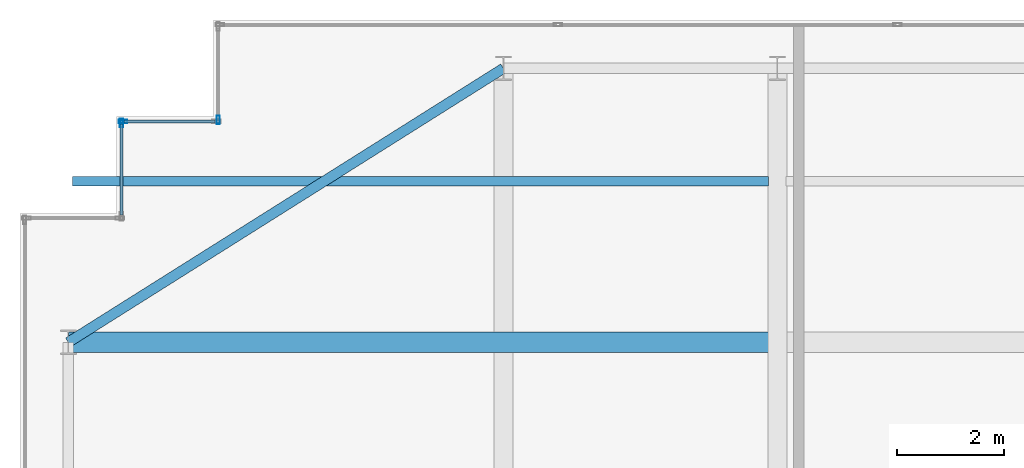
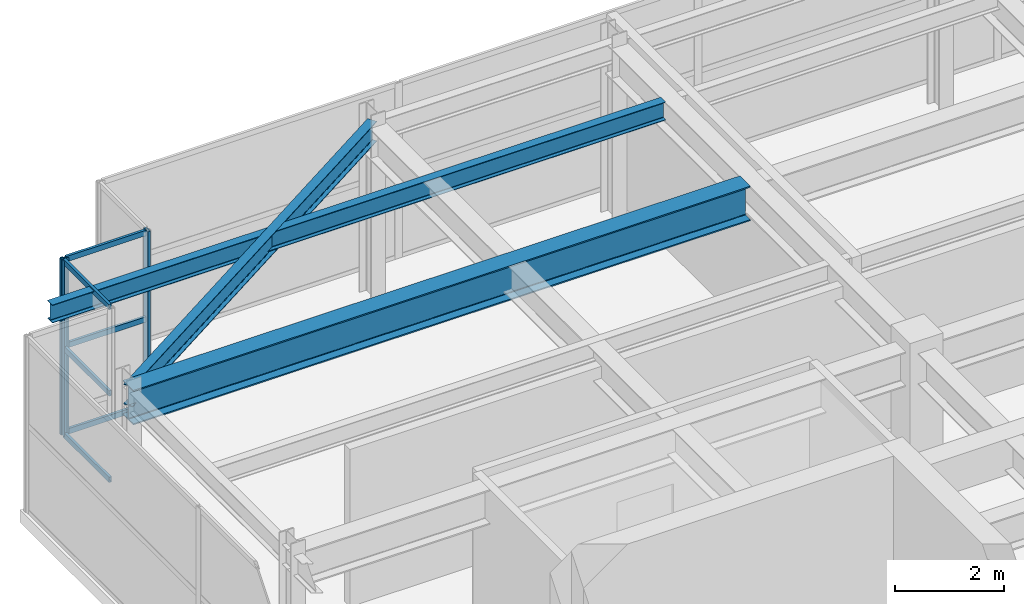
# One storey, part 21 of 32: 9 members, 3 beams, 3 elements without a shape of their own.
"""IFC4 building model written with IfcOpenShell, lengths in metres."""

from ifc_helpers import new_model, si_unit, direction, frame, origin, origin_2d, place, context, subcontext, project, spatial, hollow_rectangle, i_section, extrude, source, transform, mapped, material, layer, layer_set, material_profile, profile_set, type_object, element, aggregate, save


model = new_model("IFC4")

# Units and contexts
model_context = context("Model", 3, precision=1e-05, world=origin(), true_north=direction((0.0, 1.0)))
body_context = subcontext(model_context, "Body", "Model", "MODEL_VIEW")
ifc_project = project(units=[si_unit("LENGTHUNIT", "METRE"), si_unit("AREAUNIT", "SQUARE_METRE"), si_unit("VOLUMEUNIT", "CUBIC_METRE"), si_unit("PLANEANGLEUNIT", "RADIAN"), si_unit("MASSUNIT", "GRAM", prefix="KILO")], contexts=[model_context])

# Site, building, storey
site_placement = place(None, origin())
site = spatial("IfcSite", under=ifc_project, at=site_placement, CompositionType="ELEMENT")
building_placement = place(site_placement, origin())
building = spatial("IfcBuilding", under=site, at=building_placement, Name="Khoralis Quay Care Tower", CompositionType="ELEMENT")
storey_placement = place(building_placement, frame((0.0, 0.0, 297.89990234375)))
storey = spatial("IfcBuildingStorey", under=building, at=storey_placement, Name="L78", CompositionType="ELEMENT", Elevation=297.89990234375)

# Beams
ifc_material_1 = material(Name="Steel S355", Category="steel")
ifc_material_profile_1 = material_profile(ifc_material_1, i_section(OverallWidth=0.18994140625, OverallDepth=0.449951171875, WebThickness=0.009521484375, FlangeThickness=0.0146484375, FilletRadius=0.02099609375, at=origin_2d()), Name="Steel S355")
ifc_profile_set_1 = profile_set([ifc_material_profile_1], Name="Steel S355")
beam_type_1 = type_object("IfcBeamType", Name="BM-IPE450", PredefinedType="SPANDREL", material=ifc_profile_set_1)
shared_shape_1 = source(origin(), body_context, "Body", "SweptSolid", [
    extrude(i_section(OverallWidth=0.18994140625, OverallDepth=0.449951171875, WebThickness=0.009521484375, FlangeThickness=0.0146484375, FilletRadius=0.02099609375, at=origin_2d()), origin(), (0.0, 0.0, 1.0), 9.572021484375),
])
beam_1_placement = place(storey_placement, frame((12.0, 41.10009765625, 3.695068359375), z_axis=(-0.846231136359, -0.532815975602, 0.0), x_axis=(0.532815975602, -0.846231136359, 0.0)))
element("IfcBeam", 1, at=beam_1_placement, inside=storey, type_object=beam_type_1, Name="BM-TCR-L78-19", PredefinedType="SPANDREL", context=body_context, shape_type="MappedRepresentation", body=[
    mapped(shared_shape_1, transform((0.0, 0.0, 0.0), scale=1.0)),
])
ifc_material_profile_2 = material_profile(ifc_material_1, i_section(OverallWidth=0.381103515625, OverallDepth=0.77294921875, WebThickness=0.0166015625, FlangeThickness=0.027587890625, FilletRadius=0.02197265625, at=origin_2d()), Name="Steel S355")
ifc_profile_set_2 = profile_set([ifc_material_profile_2], Name="Steel S355")
beam_type_2 = type_object("IfcBeamType", Name="BM-W760X257", PredefinedType="BEAM", material=ifc_profile_set_2)
shared_shape_2 = source(origin(), body_context, "Body", "SweptSolid", [
    extrude(i_section(OverallWidth=0.381103515625, OverallDepth=0.77294921875, WebThickness=0.0166015625, FlangeThickness=0.027587890625, FilletRadius=0.02197265625, at=origin_2d()), origin(), (0.0, 0.0, 1.0), 13.03466796875),
])
beam_2_placement = place(storey_placement, frame((3.89990234375, 36.0, 3.53369140625), z_axis=(1.0, 0.0, 0.0), x_axis=(0.0, 1.0, 0.0)))
element("IfcBeam", 2, at=beam_2_placement, inside=storey, type_object=beam_type_2, Name="BM-TGXW-L78-360", PredefinedType="BEAM", context=body_context, shape_type="MappedRepresentation", body=[
    mapped(shared_shape_2, transform((0.0, 0.0, 0.0), scale=1.0)),
])
ifc_material_profile_3 = material_profile(ifc_material_1, i_section(OverallWidth=0.177978515625, OverallDepth=0.406982421875, WebThickness=0.0078125, FlangeThickness=0.0126953125, FilletRadius=0.012939453125, at=origin_2d()), Name="Steel S355")
ifc_profile_set_3 = profile_set([ifc_material_profile_3], Name="Steel S355")
beam_type_3 = type_object("IfcBeamType", Name="BM-W410X60", PredefinedType="JOIST", material=ifc_profile_set_3)
shared_shape_3 = source(origin(), body_context, "Body", "SweptSolid", [
    extrude(i_section(OverallWidth=0.177978515625, OverallDepth=0.406982421875, WebThickness=0.0078125, FlangeThickness=0.0126953125, FilletRadius=0.012939453125, at=origin_2d()), origin(), (0.0, 0.0, 1.0), 12.95361328125),
])
beam_3_placement = place(storey_placement, frame((3.98095703125, 39.0, 3.716552734375), z_axis=(1.0, 0.0, 0.0), x_axis=(0.0, 1.0, 0.0)))
element("IfcBeam", 3, at=beam_3_placement, inside=storey, type_object=beam_type_3, Name="BM-TJS-L78-27", PredefinedType="JOIST", context=body_context, shape_type="MappedRepresentation", body=[
    mapped(shared_shape_3, transform((0.0, 0.0, 0.0), scale=1.0)),
])

# Curtain wall, member
ifc_material_2 = material(Name="Pale anodised aluminium", Category="aluminium")
ifc_layer = layer(ifc_material_2, 0.199951171875)
ifc_layer_set = layer_set([ifc_layer], Name="Pale anodised aluminium")
curtain_wall_type = type_object("IfcCurtainWallType", Name="CW-SYS-LANTERN", PredefinedType="NOTDEFINED", material=ifc_layer_set)
curtain_wall_1_placement = place(storey_placement, origin())
curtain_wall_1 = element("IfcCurtainWall", 4, at=curtain_wall_1_placement, inside=storey, type_object=curtain_wall_type, Name="L78 Unitised Curtain Wall CW-LN-L78-12", PredefinedType="NOTDEFINED")
ifc_material_profile_4 = material_profile(ifc_material_2, hollow_rectangle(XDim=0.06005859375, YDim=0.159912109375, WallThickness=0.00390625, at=origin_2d()), Name="Pale anodised aluminium")
ifc_profile_set_4 = profile_set([ifc_material_profile_4], Name="Pale anodised aluminium")
member_type_1 = type_object("IfcMemberType", Name="CW-MUL-160", PredefinedType="MULLION", material=ifc_profile_set_4)
shared_shape_4 = source(origin(), body_context, "Body", "SweptSolid", [
    extrude(hollow_rectangle(XDim=0.06005859375, YDim=0.159912109375, WallThickness=0.00390625, at=origin_2d()), origin(), (0.0, 0.0, 1.0), 3.920166015625),
])
member_1_placement = place(storey_placement, frame((6.68994140625, 40.139892578125, 0.0), z_axis=(0.0, 0.0, 1.0), x_axis=(1.0, 0.0, 0.0)))
member_1 = element("IfcMember", 5, at=member_1_placement, type_object=member_type_1, Name="CW5 mullion 2", PredefinedType="MULLION", context=body_context, shape_type="MappedRepresentation", body=[
    mapped(shared_shape_4, transform((0.0, 0.0, 0.0), scale=1.0)),
])
aggregate(curtain_wall_1, [member_1])

curtain_wall_2_placement = place(storey_placement, origin())
curtain_wall_2 = element("IfcCurtainWall", 6, at=curtain_wall_2_placement, inside=storey, type_object=curtain_wall_type, Name="L78 Unitised Curtain Wall CW-LN-L78-13", PredefinedType="NOTDEFINED")
member_2_placement = place(storey_placement, frame((4.919921875, 40.110107421875, 0.0), z_axis=(0.0, 0.0, 1.0), x_axis=(0.0, -1.0, 0.0)))
member_2 = element("IfcMember", 7, at=member_2_placement, type_object=member_type_1, Name="CW5 mullion 2", PredefinedType="MULLION", context=body_context, shape_type="MappedRepresentation", body=[
    mapped(shared_shape_4, transform((0.0, 0.0, 0.0), scale=1.0)),
])

curtain_wall_3_placement = place(storey_placement, origin())
curtain_wall_3 = element("IfcCurtainWall", 8, at=curtain_wall_3_placement, inside=storey, type_object=curtain_wall_type, Name="L78 Unitised Curtain Wall CW-LN-L78-14", PredefinedType="NOTDEFINED")
member_3_placement = place(storey_placement, frame((4.889892578125, 40.080078125, 0.0), z_axis=(0.0, 0.0, 1.0), x_axis=(1.0, 0.0, 0.0)))
member_3 = element("IfcMember", 9, at=member_3_placement, type_object=member_type_1, Name="CW5 mullion 1", PredefinedType="MULLION", context=body_context, shape_type="MappedRepresentation", body=[
    mapped(shared_shape_4, transform((0.0, 0.0, 0.0), scale=1.0)),
])

# Member
ifc_material_profile_5 = material_profile(ifc_material_2, hollow_rectangle(XDim=0.054931640625, YDim=0.1201171875, WallThickness=0.00390625, at=origin_2d()), Name="Pale anodised aluminium")
ifc_profile_set_5 = profile_set([ifc_material_profile_5], Name="Pale anodised aluminium")
member_type_2 = type_object("IfcMemberType", Name="CW-TRN-120", PredefinedType="USERDEFINED", material=ifc_profile_set_5)
shared_shape_5 = source(origin(), body_context, "Body", "SweptSolid", [
    extrude(hollow_rectangle(XDim=0.054931640625, YDim=0.1201171875, WallThickness=0.00390625, at=origin_2d()), origin(), (0.0, 0.0, 1.0), 1.679931640625),
])
member_4_placement = place(storey_placement, frame((6.6298828125, 40.110107421875, 0.030029296875), z_axis=(-1.0, 0.0, 0.0), x_axis=(0.0, -1.0, 0.0)))
member_4 = element("IfcMember", 10, at=member_4_placement, type_object=member_type_2, Name="CW5 transom 1.1", ObjectType="TRANSOM", PredefinedType="USERDEFINED", context=body_context, shape_type="MappedRepresentation", body=[
    mapped(shared_shape_5, transform((0.0, 0.0, 0.0), scale=1.0)),
])

member_5_placement = place(storey_placement, frame((6.6298828125, 40.110107421875, 1.960205078125), z_axis=(-1.0, 0.0, 0.0), x_axis=(0.0, -1.0, 0.0)))
member_5 = element("IfcMember", 11, at=member_5_placement, type_object=member_type_2, Name="CW5 transom 1.2", ObjectType="TRANSOM", PredefinedType="USERDEFINED", context=body_context, shape_type="MappedRepresentation", body=[
    mapped(shared_shape_5, transform((0.0, 0.0, 0.0), scale=1.0)),
])

member_6_placement = place(storey_placement, frame((6.6298828125, 40.110107421875, 3.89013671875), z_axis=(-1.0, 0.0, 0.0), x_axis=(0.0, -1.0, 0.0)))
member_6 = element("IfcMember", 12, at=member_6_placement, type_object=member_type_2, Name="CW5 transom 1.3", ObjectType="TRANSOM", PredefinedType="USERDEFINED", context=body_context, shape_type="MappedRepresentation", body=[
    mapped(shared_shape_5, transform((0.0, 0.0, 0.0), scale=1.0)),
])

aggregate(curtain_wall_2, [member_2, member_4, member_5, member_6])

member_7_placement = place(storey_placement, frame((4.889892578125, 40.050048828125, 0.030029296875), z_axis=(0.0, -1.0, 0.0), x_axis=(1.0, 0.0, 0.0)))
member_7 = element("IfcMember", 13, at=member_7_placement, type_object=member_type_2, Name="CW5 transom 1.1", ObjectType="TRANSOM", PredefinedType="USERDEFINED", context=body_context, shape_type="MappedRepresentation", body=[
    mapped(shared_shape_5, transform((0.0, 0.0, 0.0), scale=1.0)),
])

member_8_placement = place(storey_placement, frame((4.889892578125, 40.050048828125, 1.960205078125), z_axis=(0.0, -1.0, 0.0), x_axis=(1.0, 0.0, 0.0)))
member_8 = element("IfcMember", 14, at=member_8_placement, type_object=member_type_2, Name="CW5 transom 1.2", ObjectType="TRANSOM", PredefinedType="USERDEFINED", context=body_context, shape_type="MappedRepresentation", body=[
    mapped(shared_shape_5, transform((0.0, 0.0, 0.0), scale=1.0)),
])

member_9_placement = place(storey_placement, frame((4.889892578125, 40.050048828125, 3.89013671875), z_axis=(0.0, -1.0, 0.0), x_axis=(1.0, 0.0, 0.0)))
member_9 = element("IfcMember", 15, at=member_9_placement, type_object=member_type_2, Name="CW5 transom 1.3", ObjectType="TRANSOM", PredefinedType="USERDEFINED", context=body_context, shape_type="MappedRepresentation", body=[
    mapped(shared_shape_5, transform((0.0, 0.0, 0.0), scale=1.0)),
])

aggregate(curtain_wall_3, [member_3, member_7, member_8, member_9])

save(model, "model.ifc")
